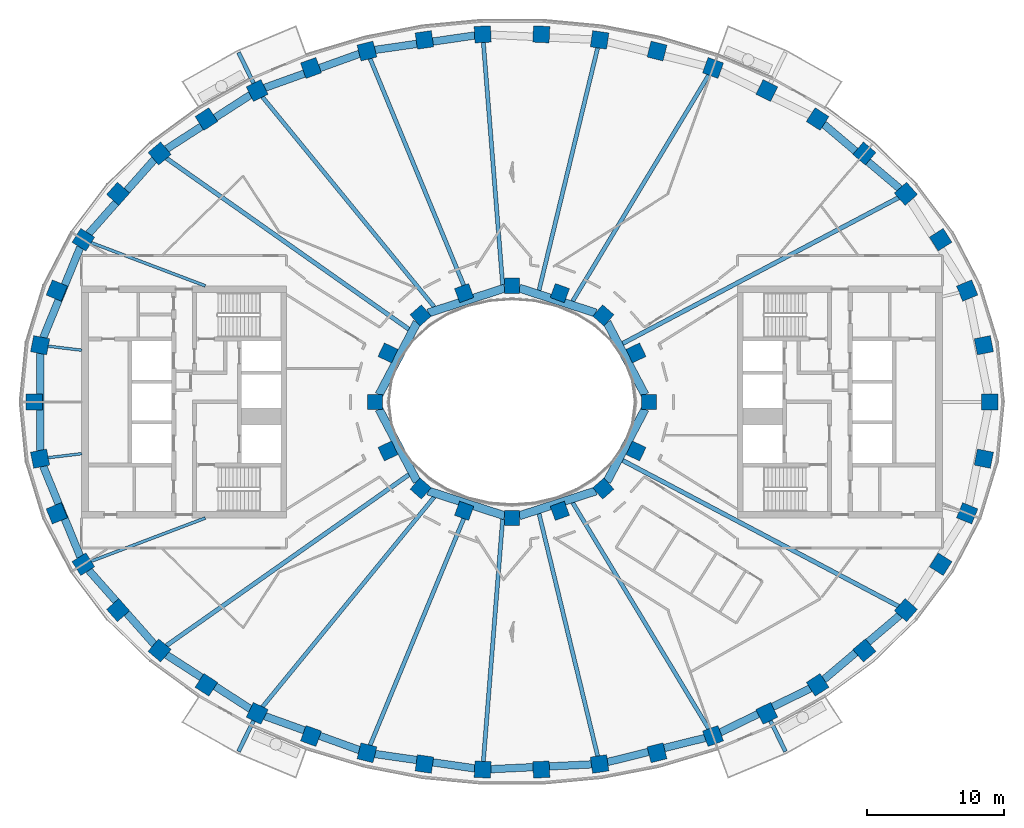
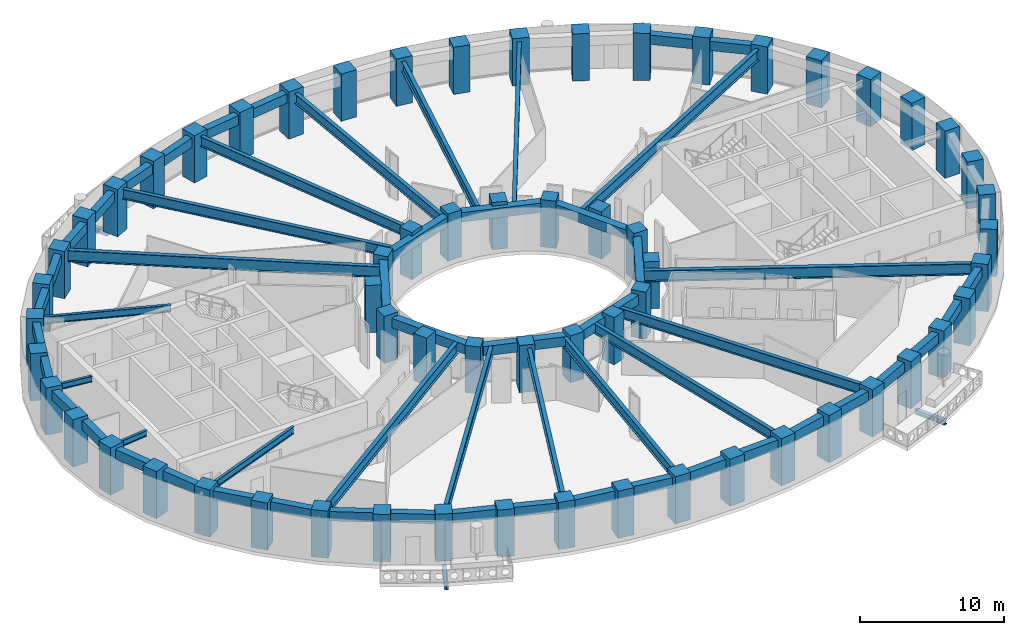
# One storey, part 1 of 15: 62 columns, 45 beams.
"""IFC4 building model written with IfcOpenShell, lengths in metres."""

import ifcopenshell
import ifcopenshell.guid

model = None  # the IFC model being written
_history = None  # IfcOwnerHistory: only IFC2X3 demands one
_inside = {}  # id of a spatial element -> (the spatial element, [elements in it])
_under = {}  # id of a project, library or spatial element -> (it, [spatial elements below it])
_declared = {}  # id of a project -> (the project, [libraries it declares])
_typed = {}  # id of a type object -> (the type object, [elements of that type])
_made_of = {}  # id of a material, layer set ... -> (it, [elements and type objects made of it])


def new_model(schema):
    """Start an empty IFC model of exactly this schema.

    Asked for "IFC4X3", IfcOpenShell would pick the latest addendum, in which some entities
    have other attributes; the version numbers below select the first issue.
    IFC2X3 requires an IfcOwnerHistory on every rooted entity: one is made here for all.
    """
    global model, _history
    if schema == "IFC4X3":
        model = ifcopenshell.file(schema_version=(4, 3, 0, 0))
    else:
        model = ifcopenshell.file(schema=schema)
    _inside.clear()
    _under.clear()
    _declared.clear()
    _typed.clear()
    _made_of.clear()
    _history = None
    if model.schema == "IFC2X3":
        org = make("IfcOrganization", Name="unknown")
        user = make(
            "IfcPersonAndOrganization",
            ThePerson=make("IfcPerson", FamilyName="unknown"),
            TheOrganization=org,
        )
        app = make(
            "IfcApplication",
            ApplicationDeveloper=org,
            Version="unknown",
            ApplicationFullName="unknown",
            ApplicationIdentifier="unknown",
        )
        _history = make(
            "IfcOwnerHistory",
            OwningUser=user,
            OwningApplication=app,
            ChangeAction="ADDED",
            CreationDate=0,
        )
    return model


def make(cls, **values):
    """One entity of the class cls with the attributes given. An attribute that is None is left unset."""
    return model.create_entity(
        cls, **{name: value for name, value in values.items() if value is not None}
    )


def rooted(cls, **values):
    """An entity with a GlobalId (a new one), such as an element, a storey or a relation."""
    return make(cls, GlobalId=ifcopenshell.guid.new(), OwnerHistory=_history, **values)


def si_unit(unit_type, name, prefix=None):
    """IfcSIUnit, for example si_unit("LENGTHUNIT", "METRE", prefix="MILLI")."""
    return make("IfcSIUnit", UnitType=unit_type, Prefix=prefix, Name=name)


def assignment(units):
    """IfcUnitAssignment: the units of a project."""
    return None if units is None else make("IfcUnitAssignment", Units=units)


def point(xyz):
    """IfcCartesianPoint."""
    return None if xyz is None else make("IfcCartesianPoint", Coordinates=xyz)


def direction(xyz):
    """IfcDirection."""
    return None if xyz is None else make("IfcDirection", DirectionRatios=xyz)


def frame(location, z_axis=None, x_axis=None):
    """IfcAxis2Placement3D, a coordinate frame: its origin and axes. An axis left out is left unset."""
    return make(
        "IfcAxis2Placement3D",
        Location=point(location),
        Axis=direction(z_axis),
        RefDirection=direction(x_axis),
    )


def frame_2d(location, x_axis=None):
    """IfcAxis2Placement2D, a coordinate frame in the plane: its origin and x axis."""
    return make(
        "IfcAxis2Placement2D", Location=point(location), RefDirection=direction(x_axis)
    )


def origin():
    """The frame at (0, 0, 0) with its axes left unset."""
    return frame((0.0, 0.0, 0.0))


def origin_2d():
    """The frame at (0, 0) in the plane with its x axis left unset."""
    return frame_2d((0.0, 0.0))


def place(relative_to, where):
    """IfcLocalPlacement: puts the frame where relative to a parent placement (None: the world)."""
    return make(
        "IfcLocalPlacement", PlacementRelTo=relative_to, RelativePlacement=where
    )


def context(
    kind, dimensions, precision=None, world=None, true_north=None, identifier=None
):
    """IfcGeometricRepresentationContext, for example the 3D "Model" context."""
    return make(
        "IfcGeometricRepresentationContext",
        ContextIdentifier=identifier,
        ContextType=kind,
        CoordinateSpaceDimension=dimensions,
        Precision=precision,
        WorldCoordinateSystem=world,
        TrueNorth=true_north,
    )


def subcontext(parent, identifier, kind, view, scale=None):
    """IfcGeometricRepresentationSubContext, for example "Body" below "Model"."""
    return make(
        "IfcGeometricRepresentationSubContext",
        ContextIdentifier=identifier,
        ContextType=kind,
        ParentContext=parent,
        TargetScale=scale,
        TargetView=view,
    )


def project(units=None, contexts=None):
    """IfcProject with its units and contexts."""
    return rooted(
        "IfcProject",
        Name="project",
        RepresentationContexts=contexts,
        UnitsInContext=assignment(units),
    )


def spatial(cls, under=None, at=None, **own):
    """A site, building, storey or space (cls), placed at a placement, below another one or the project."""
    s = rooted(cls, ObjectPlacement=at, **own)
    if under is not None:
        _under.setdefault(under.id(), (under, []))[1].append(s)
    return s


def profile(cls, at=None, kind="AREA", **sizes):
    """A parametric profile (cls). Its sizes go by their IFC names, for example OverallWidth=200.0."""
    return make(cls, ProfileType=kind, Position=at, **sizes)


def rectangle(**sizes):
    """IfcRectangleProfileDef."""
    return profile("IfcRectangleProfileDef", **sizes)


def i_section(**sizes):
    """IfcIShapeProfileDef."""
    return profile("IfcIShapeProfileDef", **sizes)


def extrude(swept, where, along, depth):
    """IfcExtrudedAreaSolid: the profile swept, set in the frame where, extruded along a direction by depth."""
    return make(
        "IfcExtrudedAreaSolid",
        SweptArea=swept,
        Position=where,
        ExtrudedDirection=direction(along),
        Depth=depth,
    )


def shape(context_of_items, identifier, shape_type, items):
    """IfcShapeRepresentation: the items that make up one representation, for example the "Body"."""
    return make(
        "IfcShapeRepresentation",
        ContextOfItems=context_of_items,
        RepresentationIdentifier=identifier,
        RepresentationType=shape_type,
        Items=items,
    )


def material(Name=None, Category=None):
    """IfcMaterial."""
    return make("IfcMaterial", Name=Name, Category=Category)


def material_profile(
    of_material, cross_section, Name=None, Category=None, Priority=None
):
    """IfcMaterialProfile: a cross section and its material."""
    return make(
        "IfcMaterialProfile",
        Name=Name,
        Material=of_material,
        Profile=cross_section,
        Priority=Priority,
        Category=Category,
    )


def profile_set(profiles, Name=None, composite=None):
    """IfcMaterialProfileSet."""
    return make(
        "IfcMaterialProfileSet",
        Name=Name,
        MaterialProfiles=profiles,
        CompositeProfile=composite,
    )


def made_of(thing, what):
    """Note that an element or type object is made of a material, layer set ...; save() writes the relation."""
    if what is not None:
        _made_of.setdefault(what.id(), (what, []))[1].append(thing)
    return thing


def type_object(cls, material=None, **own):
    """A type object (cls), such as IfcWallType, which elements share."""
    return made_of(rooted(cls, **own), material)


def element(
    cls,
    number,
    at=None,
    inside=None,
    cuts=None,
    type_object=None,
    material=None,
    context=None,
    identifier="Body",
    shape_type=None,
    held_by="IfcProductDefinitionShape",
    body=None,
    shapes=None,
    **own,
):
    """One element of the class cls, such as IfcWall. Its Tag is "e" and its number.

    at: its placement. inside: the storey or other place that contains it. cuts: it is an
    opening in that element (IfcRelVoidsElement). A single representation is given by context,
    identifier, shape_type and body (its items); several are given by shapes. held_by: the class
    of the entity that holds the representations. save() writes the other relations.
    """
    e = rooted(cls, Tag="e%d" % number, ObjectPlacement=at, **own)
    if body is not None:
        shapes = [shape(context, identifier, shape_type, body)]
    if shapes is not None:
        e.Representation = make(held_by, Representations=shapes)
    if inside is not None:
        _inside.setdefault(inside.id(), (inside, []))[1].append(e)
    if cuts is not None:
        rooted(
            "IfcRelVoidsElement", RelatingBuildingElement=cuts, RelatedOpeningElement=e
        )
    if type_object is not None:
        _typed.setdefault(type_object.id(), (type_object, []))[1].append(e)
    return made_of(e, material)


def aggregate(whole, parts):
    """IfcRelAggregates: a whole, such as a stair, and the parts it consists of."""
    return rooted("IfcRelAggregates", RelatingObject=whole, RelatedObjects=parts)


def save(model, path):
    """Write the relations noted so far, then the file.

    IfcRelAggregates (storeys below a building ...), IfcRelContainedInSpatialStructure (elements
    in a storey), IfcRelDefinesByType, IfcRelAssociatesMaterial and IfcRelDeclares: one each for
    every whole, place, type object, material and project.
    """
    for whole, parts in _under.values():
        aggregate(whole, parts)
    for where, things in _inside.values():
        rooted(
            "IfcRelContainedInSpatialStructure",
            RelatedElements=things,
            RelatingStructure=where,
        )
    for kind, things in _typed.values():
        rooted("IfcRelDefinesByType", RelatedObjects=things, RelatingType=kind)
    for what, things in _made_of.values():
        rooted("IfcRelAssociatesMaterial", RelatedObjects=things, RelatingMaterial=what)
    for by, libraries in _declared.values():
        rooted("IfcRelDeclares", RelatingContext=by, RelatedDefinitions=libraries)
    model.write(path)


model = new_model("IFC4")

# Units and contexts
model_context = context("Model", 3, precision=1e-05, world=origin(), true_north=direction((0.0, 1.0)))
body_context = subcontext(model_context, "Body", "Model", "MODEL_VIEW")
ifc_project = project(units=[si_unit("LENGTHUNIT", "METRE"), si_unit("AREAUNIT", "SQUARE_METRE"), si_unit("VOLUMEUNIT", "CUBIC_METRE"), si_unit("PLANEANGLEUNIT", "RADIAN"), si_unit("MASSUNIT", "GRAM", prefix="KILO")], contexts=[model_context])

# Site, building, storey
site_placement = place(None, origin())
site = spatial("IfcSite", under=ifc_project, at=site_placement, CompositionType="ELEMENT")
building_placement = place(site_placement, origin())
building = spatial("IfcBuilding", under=site, at=building_placement, Name="Noorbagh Ring Tower", CompositionType="ELEMENT")
storey_placement = place(building_placement, frame((0.0, 0.0, 158.0)))
storey = spatial("IfcBuildingStorey", under=building, at=storey_placement, Name="L36", CompositionType="ELEMENT", Elevation=158.0)

# Columns
ifc_material_1 = material(Name="Concrete C60/75", Category="concrete")
ifc_material_profile_1 = material_profile(ifc_material_1, rectangle(XDim=1.199951171875, YDim=1.199951171875, at=origin_2d()), Name="RC1200x1200")
ifc_profile_set_1 = profile_set([ifc_material_profile_1], Name="Concrete C60/75")
column_type_1 = type_object("IfcColumnType", Name="STR-COL-RC1200x1200-C60-75", PredefinedType="COLUMN", material=ifc_profile_set_1)
for number, where, z_axis, x_axis, name in (
    (1, (34.944580078125, 0.0, 0.0), (0.0, 0.0, 1.0), (0.0, 1.0, 0.0), "L36/col/R1-01"),
    (2, (34.52685546875, 4.150634765625, 0.0), (0.0, 0.0, 1.0), (-0.19723040178, 0.9803571638, 0.0), "L36/col/R1-02"),
    (3, (33.30517578125, 8.1494140625, 0.0), (0.0, 0.0, 1.0), (-0.378989499959, 0.925400971969, 0.0), "L36/col/R1-03"),
    (4, (31.364990234375, 11.87109375, 0.0), (0.0, 0.0, 1.0), (-0.535190403059, 0.844731455833, 0.0), "L36/col/R1-04"),
    (5, (28.81884765625, 15.23046875, 0.0), (0.0, 0.0, 1.0), (-0.662635642662, 0.748941923699, 0.0), "L36/col/R1-05"),
    (6, (25.78271484375, 18.180419921875, 0.0), (0.0, 0.0, 1.0), (-0.763035199656, 0.646356932419, 0.0), "L36/col/R1-06"),
    (7, (22.362060546875, 20.699951171875, 0.0), (0.0, 0.0, 1.0), (-0.840247639643, 0.542202825586, 0.0), "L36/col/R1-07"),
    (8, (18.646240234375, 22.785400390625, 0.0), (0.0, 0.0, 1.0), (-0.898399080868, 0.439180021741, 0.0), "L36/col/R1-08"),
    (9, (14.70947265625, 24.44091796875, 0.0), (0.0, 0.0, 1.0), (-0.941024726094, 0.338337797003, 0.0), "L36/col/R1-09"),
    (10, (10.61328125, 25.673583984375, 0.0), (0.0, 0.0, 1.0), (-0.970829360981, 0.239771457553, 0.0), "L36/col/R1-10"),
    (11, (6.4091796875, 26.49072265625, 0.0), (0.0, 0.0, 1.0), (-0.989713114048, 0.143066249975, 0.0), "L36/col/R1-11"),
    (12, (2.14306640625, 26.89794921875, 0.0), (0.0, 0.0, 1.0), (-0.998868731212, 0.047552684538, 0.0), "L36/col/R1-12"),
    (13, (-2.14306640625, 26.89794921875, 0.0), (0.0, 0.0, 1.0), (-0.998868731212, -0.047552684538, 0.0), "L36/col/R1-13"),
    (14, (-6.4091796875, 26.49072265625, 0.0), (0.0, 0.0, 1.0), (-0.989713114048, -0.143066249975, 0.0), "L36/col/R1-14"),
    (15, (-10.61328125, 25.673583984375, 0.0), (0.0, 0.0, 1.0), (-0.970829360981, -0.239771457553, 0.0), "L36/col/R1-15"),
    (16, (-14.70947265625, 24.44091796875, 0.0), (0.0, 0.0, 1.0), (-0.941024726094, -0.338337797003, 0.0), "L36/col/R1-16"),
    (17, (-18.646240234375, 22.785400390625, 0.0), (0.0, 0.0, 1.0), (-0.898399080868, -0.439180021741, 0.0), "L36/col/R1-17"),
    (18, (-22.362060546875, 20.699951171875, 0.0), (0.0, 0.0, 1.0), (-0.840247639643, -0.542202825586, 0.0), "L36/col/R1-18"),
    (19, (-25.78271484375, 18.180419921875, 0.0), (0.0, 0.0, 1.0), (-0.763035199656, -0.646356932419, 0.0), "L36/col/R1-19"),
    (20, (-28.81884765625, 15.23046875, 0.0), (0.0, 0.0, 1.0), (-0.662635642662, -0.748941923699, 0.0), "L36/col/R1-20"),
    (21, (-31.364990234375, 11.87109375, 0.0), (0.0, 0.0, 1.0), (-0.535190403059, -0.844731455833, 0.0), "L36/col/R1-21"),
    (22, (-33.30517578125, 8.1494140625, 0.0), (0.0, 0.0, 1.0), (-0.378989499959, -0.925400971969, 0.0), "L36/col/R1-22"),
    (23, (-34.52685546875, 4.150634765625, 0.0), (0.0, 0.0, 1.0), (-0.19723040178, -0.9803571638, 0.0), "L36/col/R1-23"),
    (24, (-34.944580078125, 0.0, 0.0), (0.0, 0.0, 1.0), (0.0, -1.0, 0.0), "L36/col/R1-24"),
    (25, (-34.52685546875, -4.150634765625, 0.0), (0.0, 0.0, 1.0), (0.19723040178, -0.9803571638, 0.0), "L36/col/R1-25"),
    (26, (-33.30517578125, -8.1494140625, 0.0), (0.0, 0.0, 1.0), (0.378989499959, -0.925400971969, 0.0), "L36/col/R1-26"),
    (27, (-31.364990234375, -11.87109375, 0.0), (0.0, 0.0, 1.0), (0.535190403059, -0.844731455833, 0.0), "L36/col/R1-27"),
    (28, (-28.81884765625, -15.23046875, 0.0), (0.0, 0.0, 1.0), (0.662635642662, -0.748941923699, 0.0), "L36/col/R1-28"),
    (29, (-25.78271484375, -18.180419921875, 0.0), (0.0, 0.0, 1.0), (0.763035199656, -0.646356932419, 0.0), "L36/col/R1-29"),
    (30, (-22.362060546875, -20.699951171875, 0.0), (0.0, 0.0, 1.0), (0.840247639643, -0.542202825586, 0.0), "L36/col/R1-30"),
    (31, (-18.646240234375, -22.785400390625, 0.0), (0.0, 0.0, 1.0), (0.898399080868, -0.439180021741, 0.0), "L36/col/R1-31"),
    (32, (-14.70947265625, -24.44091796875, 0.0), (0.0, 0.0, 1.0), (0.941024726094, -0.338337797003, 0.0), "L36/col/R1-32"),
    (33, (-10.61328125, -25.673583984375, 0.0), (0.0, 0.0, 1.0), (0.970829360981, -0.239771457553, 0.0), "L36/col/R1-33"),
    (34, (-6.4091796875, -26.49072265625, 0.0), (0.0, 0.0, 1.0), (0.989713114048, -0.143066249975, 0.0), "L36/col/R1-34"),
    (35, (-2.14306640625, -26.89794921875, 0.0), (0.0, 0.0, 1.0), (0.998868731212, -0.047552684538, 0.0), "L36/col/R1-35"),
    (36, (2.14306640625, -26.89794921875, 0.0), (0.0, 0.0, 1.0), (0.998868731212, 0.047552684538, 0.0), "L36/col/R1-36"),
    (37, (6.4091796875, -26.49072265625, 0.0), (0.0, 0.0, 1.0), (0.989713114048, 0.143066249975, 0.0), "L36/col/R1-37"),
    (38, (10.61328125, -25.673583984375, 0.0), (0.0, 0.0, 1.0), (0.970829360981, 0.239771457553, 0.0), "L36/col/R1-38"),
    (39, (14.70947265625, -24.44091796875, 0.0), (0.0, 0.0, 1.0), (0.941024726094, 0.338337797003, 0.0), "L36/col/R1-39"),
    (40, (18.646240234375, -22.785400390625, 0.0), (0.0, 0.0, 1.0), (0.898399080868, 0.439180021741, 0.0), "L36/col/R1-40"),
    (41, (22.362060546875, -20.699951171875, 0.0), (0.0, 0.0, 1.0), (0.840247639643, 0.542202825586, 0.0), "L36/col/R1-41"),
    (42, (25.78271484375, -18.180419921875, 0.0), (0.0, 0.0, 1.0), (0.763035199656, 0.646356932419, 0.0), "L36/col/R1-42"),
    (43, (28.81884765625, -15.23046875, 0.0), (0.0, 0.0, 1.0), (0.662635642662, 0.748941923699, 0.0), "L36/col/R1-43"),
    (44, (31.364990234375, -11.87109375, 0.0), (0.0, 0.0, 1.0), (0.535190403059, 0.844731455833, 0.0), "L36/col/R1-44"),
    (45, (33.30517578125, -8.1494140625, 0.0), (0.0, 0.0, 1.0), (0.378989499959, 0.925400971969, 0.0), "L36/col/R1-45"),
    (46, (34.52685546875, -4.150634765625, 0.0), (0.0, 0.0, 1.0), (0.19723040178, 0.9803571638, 0.0), "L36/col/R1-46"),
):
    element("IfcColumn", number, at=place(storey_placement, frame(where, z_axis=z_axis, x_axis=x_axis)), inside=storey, type_object=column_type_1, Name=name, PredefinedType="COLUMN", context=body_context, shape_type="SweptSolid", body=[
        extrude(rectangle(XDim=1.199951171875, YDim=1.199951171875, at=origin_2d()), origin(), (0.0, 0.0, 1.0), 4.0),
    ])
ifc_material_2 = material(Name="Concrete C60/75", Category="concrete")
ifc_material_profile_2 = material_profile(ifc_material_2, rectangle(XDim=1.10009765625, YDim=1.10009765625, at=origin_2d()), Name="RC1100x1100")
ifc_profile_set_2 = profile_set([ifc_material_profile_2], Name="Concrete C60/75")
column_type_2 = type_object("IfcColumnType", Name="STR-ICOL-RC1100x1100-C60-75", PredefinedType="COLUMN", material=ifc_profile_set_2)
for number, where, z_axis, x_axis, name in (
    (47, (10.00830078125, 0.0, 0.0), (0.0, 0.0, 1.0), (0.0, 1.0, 0.0), "L36/col/IR2-W01"),
    (48, (9.07568359375, 3.58837890625, 0.0), (0.0, 0.0, 1.0), (-0.428666979171, 0.903462573087, 0.0), "L36/col/IR2-W03"),
    (49, (6.68212890625, 6.333740234375, 0.0), (0.0, 0.0, 1.0), (-0.75102249095, 0.660276622399, 0.0), "L36/col/IR2-W05"),
    (50, (3.5009765625, 7.967041015625, 0.0), (0.0, 0.0, 1.0), (-0.939019578916, 0.343863679984, 0.0), "L36/col/IR2-W07"),
    (51, (0.0, 8.5029296875, 0.0), (0.0, 0.0, 1.0), (-1.0, 0.0, 0.0), "L36/col/IR2-W09"),
    (52, (-3.5009765625, 7.967041015625, 0.0), (0.0, 0.0, 1.0), (-0.939019578916, -0.343863679984, 0.0), "L36/col/IR2-W11"),
    (53, (-6.68212890625, 6.333740234375, 0.0), (0.0, 0.0, 1.0), (-0.75102249095, -0.660276622399, 0.0), "L36/col/IR2-W13"),
    (54, (-9.07568359375, 3.58837890625, 0.0), (0.0, 0.0, 1.0), (-0.428666979171, -0.903462573087, 0.0), "L36/col/IR2-W15"),
    (55, (-10.00830078125, 0.0, 0.0), (0.0, 0.0, 1.0), (0.0, -1.0, 0.0), "L36/col/IR2-W17"),
    (56, (-9.07568359375, -3.58837890625, 0.0), (0.0, 0.0, 1.0), (0.428666979171, -0.903462573087, 0.0), "L36/col/IR2-W19"),
    (57, (-6.68212890625, -6.333740234375, 0.0), (0.0, 0.0, 1.0), (0.75102249095, -0.660276622399, 0.0), "L36/col/IR2-W21"),
    (58, (-3.5009765625, -7.967041015625, 0.0), (0.0, 0.0, 1.0), (0.939019578916, -0.343863679984, 0.0), "L36/col/IR2-W23"),
    (59, (0.0, -8.5029296875, 0.0), (0.0, 0.0, 1.0), (1.0, 0.0, 0.0), "L36/col/IR2-W25"),
    (60, (3.5009765625, -7.967041015625, 0.0), (0.0, 0.0, 1.0), (0.939019578916, 0.343863679984, 0.0), "L36/col/IR2-W27"),
    (61, (6.68212890625, -6.333740234375, 0.0), (0.0, 0.0, 1.0), (0.75102249095, 0.660276622399, 0.0), "L36/col/IR2-W29"),
    (62, (9.07568359375, -3.58837890625, 0.0), (0.0, 0.0, 1.0), (0.428666979171, 0.903462573087, 0.0), "L36/col/IR2-W31"),
):
    element("IfcColumn", number, at=place(storey_placement, frame(where, z_axis=z_axis, x_axis=x_axis)), inside=storey, type_object=column_type_2, Name=name, PredefinedType="COLUMN", context=body_context, shape_type="SweptSolid", body=[
        extrude(rectangle(XDim=1.10009765625, YDim=1.10009765625, at=origin_2d()), origin(), (0.0, 0.0, 1.0), 4.0),
    ])

# Beams
ifc_material_3 = material(Name="Steel S355", Category="steel")
ifc_material_profile_3 = material_profile(ifc_material_3, i_section(OverallWidth=0.300048828125, OverallDepth=0.39990234375, WebThickness=0.013427734375, FlangeThickness=0.02392578125, FilletRadius=0.027099609375, at=origin_2d()), Name="HEB400")
ifc_profile_set_3 = profile_set([ifc_material_profile_3], Name="Steel S355")
beam_type_1 = type_object("IfcBeamType", Name="STR-BALCONY-BRACKET-HEB400", PredefinedType="BEAM", material=ifc_profile_set_3)
for number, where, z_axis, x_axis, name in (
    (63, (-18.901123046875, 23.306396484375, -0.5), (-0.439229206399, 0.898375035409, 0.0), (-0.898375035409, -0.439229206399, 0.0), "Balcony bracket beam BN05"),
    (64, (-18.901123046875, -23.306396484375, -0.5), (-0.439229206399, -0.898375035409, 0.0), (0.898375035409, -0.439229206399, 0.0), "Balcony bracket beam BS02"),
    (65, (18.901123046875, -23.306396484375, -0.5), (0.439229206399, -0.898375035409, 0.0), (0.898375035409, 0.439229206399, 0.0), "Balcony bracket beam BS05"),
):
    element("IfcBeam", number, at=place(storey_placement, frame(where, z_axis=z_axis, x_axis=x_axis)), inside=storey, type_object=beam_type_1, Name=name, PredefinedType="BEAM", context=body_context, shape_type="SweptSolid", body=[
        extrude(i_section(OverallWidth=0.300048828125, OverallDepth=0.39990234375, WebThickness=0.013427734375, FlangeThickness=0.02392578125, FilletRadius=0.027099609375, at=origin_2d()), origin(), (0.0, 0.0, 1.0), 2.525146484375),
    ])
ifc_material_4 = material(Name="Steel S355", Category="steel")
ifc_material_profile_4 = material_profile(ifc_material_4, i_section(OverallWidth=0.199951171875, OverallDepth=0.5, WebThickness=0.01025390625, FlangeThickness=0.01611328125, FilletRadius=0.02099609375, at=origin_2d()), Name="IPE500")
ifc_profile_set_4 = profile_set([ifc_material_profile_4], Name="Steel S355")
beam_type_2 = type_object("IfcBeamType", Name="STR-RAD-IPE500", PredefinedType="BEAM", material=ifc_profile_set_4)
for number, where, z_axis, x_axis, name in (
    (66, (-33.948974609375, 4.081298828125, 3.449951171875), (0.992847073299, -0.119393002485, 0.0), (0.119393002485, 0.992847073299, 0.0), "L36/bm/RD23"),
    (67, (-33.948974609375, -4.081298828125, 3.449951171875), (0.992847073299, 0.119393002485, 0.0), (-0.119393002485, 0.992847073299, 0.0), "L36/bm/RD25"),
):
    element("IfcBeam", number, at=place(storey_placement, frame(where, z_axis=z_axis, x_axis=x_axis)), inside=storey, type_object=beam_type_2, Name=name, PredefinedType="BEAM", context=body_context, shape_type="SweptSolid", body=[
        extrude(i_section(OverallWidth=0.199951171875, OverallDepth=0.5, WebThickness=0.01025390625, FlangeThickness=0.01611328125, FilletRadius=0.02099609375, at=origin_2d()), origin(), (0.0, 0.0, 1.0), 2.486572265625),
    ])
ifc_material_5 = material(Name="Steel S355", Category="steel")
ifc_material_profile_5 = material_profile(ifc_material_5, i_section(OverallWidth=0.219970703125, OverallDepth=0.60009765625, WebThickness=0.011962890625, FlangeThickness=0.01904296875, FilletRadius=0.02392578125, at=origin_2d()), Name="IPE600")
ifc_profile_set_5 = profile_set([ifc_material_profile_5], Name="Steel S355")
beam_type_3 = type_object("IfcBeamType", Name="STR-RAD-IPE600", PredefinedType="BEAM", material=ifc_profile_set_5)
for number, where, z_axis, x_axis, name in (
    (68, (-30.810791015625, 11.6611328125, 3.39990234375), (0.935257705558, -0.35396754681, 0.0), (0.35396754681, 0.935257705558, 0.0), "L36/bm/RD21"),
    (69, (-30.810791015625, -11.6611328125, 3.39990234375), (0.935257705558, 0.35396754681, 0.0), (-0.35396754681, 0.935257705558, 0.0), "L36/bm/RD27"),
):
    element("IfcBeam", number, at=place(storey_placement, frame(where, z_axis=z_axis, x_axis=x_axis)), inside=storey, type_object=beam_type_3, Name=name, PredefinedType="BEAM", context=body_context, shape_type="SweptSolid", body=[
        extrude(i_section(OverallWidth=0.219970703125, OverallDepth=0.60009765625, WebThickness=0.011962890625, FlangeThickness=0.01904296875, FilletRadius=0.02392578125, at=origin_2d()), origin(), (0.0, 0.0, 1.0), 8.95068359375),
    ])
ifc_material_6 = material(Name="Steel S355", Category="steel")
ifc_material_profile_6 = material_profile(ifc_material_6, i_section(OverallWidth=0.300048828125, OverallDepth=0.85009765625, WebThickness=0.013916015625, FlangeThickness=0.028076171875, at=origin_2d()), Name="PG850x300x14x28")
ifc_profile_set_6 = profile_set([ifc_material_profile_6], Name="Steel S355")
beam_type_4 = type_object("IfcBeamType", Name="STR-RAD-PG850x300x14x28", PredefinedType="BEAM", material=ifc_profile_set_6)
beam_1_placement = place(storey_placement, frame((14.404296875, 23.933837890625, 3.27490234375), z_axis=(-0.515653442321, -0.856797249892, 0.0), x_axis=(0.856797249892, -0.515653442321, 0.0)))
element("IfcBeam", 70, at=beam_1_placement, inside=storey, type_object=beam_type_4, Name="L36/bm/RD09", PredefinedType="BEAM", context=body_context, shape_type="SweptSolid", body=[
    extrude(i_section(OverallWidth=0.300048828125, OverallDepth=0.85009765625, WebThickness=0.013916015625, FlangeThickness=0.028076171875, at=origin_2d()), origin(), (0.0, 0.0, 1.0), 19.343994140625),
])
beam_2_placement = place(storey_placement, frame((6.272216796875, 25.924560546875, 3.27490234375), z_axis=(-0.235159659646, -0.971956755455, 0.0), x_axis=(0.971956755455, -0.235159659646, 0.0)))
element("IfcBeam", 71, at=beam_2_placement, inside=storey, type_object=beam_type_4, Name="L36/bm/RD11", PredefinedType="BEAM", context=body_context, shape_type="SweptSolid", body=[
    extrude(i_section(OverallWidth=0.300048828125, OverallDepth=0.85009765625, WebThickness=0.013916015625, FlangeThickness=0.028076171875, at=origin_2d()), origin(), (0.0, 0.0, 1.0), 18.280517578125),
])
beam_3_placement = place(storey_placement, frame((-2.09716796875, 26.319580078125, 3.27490234375), z_axis=(0.079428488964, -0.996840566561, 0.0), x_axis=(0.996840566561, 0.079428488964, 0.0)))
element("IfcBeam", 72, at=beam_3_placement, inside=storey, type_object=beam_type_4, Name="L36/bm/RD13", PredefinedType="BEAM", context=body_context, shape_type="SweptSolid", body=[
    extrude(i_section(OverallWidth=0.300048828125, OverallDepth=0.85009765625, WebThickness=0.013916015625, FlangeThickness=0.028076171875, at=origin_2d()), origin(), (0.0, 0.0, 1.0), 17.7998046875),
])
beam_4_placement = place(storey_placement, frame((-10.388916015625, 25.13134765625, 3.27490234375), z_axis=(0.382025650428, -0.924151720452, 0.0), x_axis=(0.924151720452, 0.382025650428, 0.0)))
element("IfcBeam", 73, at=beam_4_placement, inside=storey, type_object=beam_type_4, Name="L36/bm/RD15", PredefinedType="BEAM", context=body_context, shape_type="SweptSolid", body=[
    extrude(i_section(OverallWidth=0.300048828125, OverallDepth=0.85009765625, WebThickness=0.013916015625, FlangeThickness=0.028076171875, at=origin_2d()), origin(), (0.0, 0.0, 1.0), 18.80078125),
])
for number, where, z_axis, x_axis, name in (
    (74, (-18.2685546875, 22.32373046875, 3.27490234375), (0.633310075039, -0.773898151474, 0.0), (0.773898151474, 0.633310075039, 0.0), "L36/bm/RD17"),
    (75, (-18.2685546875, -22.32373046875, 3.27490234375), (0.633310075039, 0.773898151474, 0.0), (-0.773898151474, 0.633310075039, 0.0), "L36/bm/RD31"),
):
    element("IfcBeam", number, at=place(storey_placement, frame(where, z_axis=z_axis, x_axis=x_axis)), inside=storey, type_object=beam_type_4, Name=name, PredefinedType="BEAM", context=body_context, shape_type="SweptSolid", body=[
        extrude(i_section(OverallWidth=0.300048828125, OverallDepth=0.85009765625, WebThickness=0.013916015625, FlangeThickness=0.028076171875, at=origin_2d()), origin(), (0.0, 0.0, 1.0), 19.86279296875),
    ])
beam_5_placement = place(storey_placement, frame((-10.388916015625, -25.13134765625, 3.27490234375), z_axis=(0.382025650428, 0.924151720452, 0.0), x_axis=(-0.924151720452, 0.382025650428, 0.0)))
element("IfcBeam", 76, at=beam_5_placement, inside=storey, type_object=beam_type_4, Name="L36/bm/RD33", PredefinedType="BEAM", context=body_context, shape_type="SweptSolid", body=[
    extrude(i_section(OverallWidth=0.300048828125, OverallDepth=0.85009765625, WebThickness=0.013916015625, FlangeThickness=0.028076171875, at=origin_2d()), origin(), (0.0, 0.0, 1.0), 18.80078125),
])
beam_6_placement = place(storey_placement, frame((-2.09716796875, -26.319580078125, 3.27490234375), z_axis=(0.079428488964, 0.996840566561, 0.0), x_axis=(-0.996840566561, 0.079428488964, 0.0)))
element("IfcBeam", 77, at=beam_6_placement, inside=storey, type_object=beam_type_4, Name="L36/bm/RD35", PredefinedType="BEAM", context=body_context, shape_type="SweptSolid", body=[
    extrude(i_section(OverallWidth=0.300048828125, OverallDepth=0.85009765625, WebThickness=0.013916015625, FlangeThickness=0.028076171875, at=origin_2d()), origin(), (0.0, 0.0, 1.0), 17.7998046875),
])
beam_7_placement = place(storey_placement, frame((6.272216796875, -25.924560546875, 3.27490234375), z_axis=(-0.235159659646, 0.971956755455, 0.0), x_axis=(-0.971956755455, -0.235159659646, 0.0)))
element("IfcBeam", 78, at=beam_7_placement, inside=storey, type_object=beam_type_4, Name="L36/bm/RD37", PredefinedType="BEAM", context=body_context, shape_type="SweptSolid", body=[
    extrude(i_section(OverallWidth=0.300048828125, OverallDepth=0.85009765625, WebThickness=0.013916015625, FlangeThickness=0.028076171875, at=origin_2d()), origin(), (0.0, 0.0, 1.0), 18.280517578125),
])
beam_8_placement = place(storey_placement, frame((14.404296875, -23.933837890625, 3.27490234375), z_axis=(-0.515653442321, 0.856797249892, 0.0), x_axis=(-0.856797249892, -0.515653442321, 0.0)))
element("IfcBeam", 79, at=beam_8_placement, inside=storey, type_object=beam_type_4, Name="L36/bm/RD39", PredefinedType="BEAM", context=body_context, shape_type="SweptSolid", body=[
    extrude(i_section(OverallWidth=0.300048828125, OverallDepth=0.85009765625, WebThickness=0.013916015625, FlangeThickness=0.028076171875, at=origin_2d()), origin(), (0.0, 0.0, 1.0), 19.343994140625),
])
ifc_material_7 = material(Name="Steel S355", Category="steel")
ifc_material_profile_7 = material_profile(ifc_material_7, i_section(OverallWidth=0.320068359375, OverallDepth=0.949951171875, WebThickness=0.01611328125, FlangeThickness=0.030029296875, at=origin_2d()), Name="PG950x320x16x30")
ifc_profile_set_7 = profile_set([ifc_material_profile_7], Name="Steel S355")
beam_type_5 = type_object("IfcBeamType", Name="STR-RAD-PG950x320x16x30", PredefinedType="BEAM", material=ifc_profile_set_7)
beam_9_placement = place(storey_placement, frame((28.29052734375, 14.951416015625, 3.22509765625), z_axis=(-0.88411920944, -0.467261408099, 0.0), x_axis=(0.467261408099, -0.88411920944, 0.0)))
element("IfcBeam", 80, at=beam_9_placement, inside=storey, type_object=beam_type_5, Name="L36/bm/RD05", PredefinedType="BEAM", context=body_context, shape_type="SweptSolid", body=[
    extrude(i_section(OverallWidth=0.320068359375, OverallDepth=0.949951171875, WebThickness=0.01611328125, FlangeThickness=0.030029296875, at=origin_2d()), origin(), (0.0, 0.0, 1.0), 22.857421875),
])
for number, where, z_axis, x_axis, name in (
    (81, (-25.29248046875, 17.834716796875, 3.22509765625), (0.817253927646, -0.576277726229, 0.0), (0.576277726229, 0.817253927646, 0.0), "L36/bm/RD19"),
    (82, (-25.29248046875, -17.834716796875, 3.22509765625), (0.817253927646, 0.576277726229, 0.0), (-0.576277726229, 0.817253927646, 0.0), "L36/bm/RD29"),
):
    element("IfcBeam", number, at=place(storey_placement, frame(where, z_axis=z_axis, x_axis=x_axis)), inside=storey, type_object=beam_type_5, Name=name, PredefinedType="BEAM", context=body_context, shape_type="SweptSolid", body=[
        extrude(i_section(OverallWidth=0.320068359375, OverallDepth=0.949951171875, WebThickness=0.01611328125, FlangeThickness=0.030029296875, at=origin_2d()), origin(), (0.0, 0.0, 1.0), 21.728515625),
    ])
beam_10_placement = place(storey_placement, frame((28.29052734375, -14.951416015625, 3.22509765625), z_axis=(-0.88411920944, 0.467261408099, 0.0), x_axis=(-0.467261408099, -0.88411920944, 0.0)))
element("IfcBeam", 83, at=beam_10_placement, inside=storey, type_object=beam_type_5, Name="L36/bm/RD43", PredefinedType="BEAM", context=body_context, shape_type="SweptSolid", body=[
    extrude(i_section(OverallWidth=0.320068359375, OverallDepth=0.949951171875, WebThickness=0.01611328125, FlangeThickness=0.030029296875, at=origin_2d()), origin(), (0.0, 0.0, 1.0), 22.857421875),
])
ifc_material_8 = material(Name="Concrete C40/50", Category="concrete")
ifc_material_profile_8 = material_profile(ifc_material_8, rectangle(XDim=0.60009765625, YDim=0.800048828125, at=origin_2d()), Name="RC600x800")
ifc_profile_set_8 = profile_set([ifc_material_profile_8], Name="Concrete C40/50")
beam_type_6 = type_object("IfcBeamType", Name="STR-RB-RC600x800-C40-50", PredefinedType="BEAM", material=ifc_profile_set_8)
beam_11_placement = place(storey_placement, frame((9.728759765625, 0.5322265625, 3.300048828125), z_axis=(-0.464913857529, 0.885355919999, 0.0), x_axis=(-0.885355919999, -0.464913857529, 0.0)))
element("IfcBeam", 84, at=beam_11_placement, inside=storey, type_object=beam_type_6, Name="L36/bm/RG01", PredefinedType="BEAM", context=body_context, shape_type="SweptSolid", body=[
    extrude(rectangle(XDim=0.60009765625, YDim=0.800048828125, at=origin_2d()), origin(), (0.0, 0.0, 1.0), 5.98388671875),
])
for number, where, z_axis, x_axis, name in (
    (85, (6.13134765625, 6.512451171875, 3.300048828125), (-0.95113365854, 0.308779474046, 0.0), (-0.308779474046, -0.95113365854, 0.0), "L36/bm/RG03"),
    (86, (-0.531005859375, 8.33056640625, 3.300048828125), (-0.95113365854, -0.308779474046, 0.0), (0.308779474046, -0.95113365854, 0.0), "L36/bm/RG05"),
):
    element("IfcBeam", number, at=place(storey_placement, frame(where, z_axis=z_axis, x_axis=x_axis)), inside=storey, type_object=beam_type_6, Name=name, PredefinedType="BEAM", context=body_context, shape_type="SweptSolid", body=[
        extrude(rectangle(XDim=0.60009765625, YDim=0.800048828125, at=origin_2d()), origin(), (0.0, 0.0, 1.0), 5.88818359375),
    ])
for number, where, z_axis, x_axis, name in (
    (87, (-6.94677734375, 5.830078125, 3.300048828125), (-0.464913857529, -0.885355919999, 0.0), (0.885355919999, -0.464913857529, 0.0), "L36/bm/RG07"),
    (88, (-9.728759765625, -0.5322265625, 3.300048828125), (0.464913857529, -0.885355919999, 0.0), (0.885355919999, 0.464913857529, 0.0), "L36/bm/RG09"),
):
    element("IfcBeam", number, at=place(storey_placement, frame(where, z_axis=z_axis, x_axis=x_axis)), inside=storey, type_object=beam_type_6, Name=name, PredefinedType="BEAM", context=body_context, shape_type="SweptSolid", body=[
        extrude(rectangle(XDim=0.60009765625, YDim=0.800048828125, at=origin_2d()), origin(), (0.0, 0.0, 1.0), 5.98388671875),
    ])
for number, where, z_axis, x_axis, name in (
    (89, (-6.13134765625, -6.512451171875, 3.300048828125), (0.95113365854, -0.308779474046, 0.0), (0.308779474046, 0.95113365854, 0.0), "L36/bm/RG11"),
    (90, (0.531005859375, -8.33056640625, 3.300048828125), (0.95113365854, 0.308779474046, 0.0), (-0.308779474046, 0.95113365854, 0.0), "L36/bm/RG13"),
):
    element("IfcBeam", number, at=place(storey_placement, frame(where, z_axis=z_axis, x_axis=x_axis)), inside=storey, type_object=beam_type_6, Name=name, PredefinedType="BEAM", context=body_context, shape_type="SweptSolid", body=[
        extrude(rectangle(XDim=0.60009765625, YDim=0.800048828125, at=origin_2d()), origin(), (0.0, 0.0, 1.0), 5.88818359375),
    ])
beam_12_placement = place(storey_placement, frame((6.94677734375, -5.830078125, 3.300048828125), z_axis=(0.464913857529, 0.885355919999, 0.0), x_axis=(-0.885355919999, 0.464913857529, 0.0)))
element("IfcBeam", 91, at=beam_12_placement, inside=storey, type_object=beam_type_6, Name="L36/bm/RG15", PredefinedType="BEAM", context=body_context, shape_type="SweptSolid", body=[
    extrude(rectangle(XDim=0.60009765625, YDim=0.800048828125, at=origin_2d()), origin(), (0.0, 0.0, 1.0), 5.98388671875),
])
ifc_material_9 = material(Name="Concrete C40/50", Category="concrete")
ifc_material_profile_9 = material_profile(ifc_material_9, rectangle(XDim=0.550048828125, YDim=0.800048828125, at=origin_2d()), Name="RC550x800")
ifc_profile_set_9 = profile_set([ifc_material_profile_9], Name="Concrete C40/50")
beam_type_7 = type_object("IfcBeamType", Name="STR-SB-RC550x800-C40-50", PredefinedType="BEAM", material=ifc_profile_set_9)
beam_13_placement = place(storey_placement, frame((28.37158203125, 15.609375, 3.300048828125), z_axis=(-0.76303051661, 0.646362460792, 0.0), x_axis=(-0.646362460792, -0.76303051661, 0.0)))
element("IfcBeam", 92, at=beam_13_placement, inside=storey, type_object=beam_type_7, Name="L36/bm/SP05", PredefinedType="BEAM", context=body_context, shape_type="SweptSolid", body=[
    extrude(rectangle(XDim=0.550048828125, YDim=0.800048828125, at=origin_2d()), origin(), (0.0, 0.0, 1.0), 7.290771484375),
])
beam_14_placement = place(storey_placement, frame((-2.719970703125, 26.814697265625, 3.300048828125), z_axis=(-0.989712982551, -0.143067159651, 0.0), x_axis=(0.143067159651, -0.989712982551, 0.0)))
element("IfcBeam", 93, at=beam_14_placement, inside=storey, type_object=beam_type_7, Name="L36/bm/SP13", PredefinedType="BEAM", context=body_context, shape_type="SweptSolid", body=[
    extrude(rectangle(XDim=0.550048828125, YDim=0.800048828125, at=origin_2d()), origin(), (0.0, 0.0, 1.0), 7.392333984375),
])
beam_15_placement = place(storey_placement, frame((-11.162109375, 25.476318359375, 3.300048828125), z_axis=(-0.941026272099, -0.338333497041, 0.0), x_axis=(0.338333497041, -0.941026272099, 0.0)))
element("IfcBeam", 94, at=beam_15_placement, inside=storey, type_object=beam_type_7, Name="L36/bm/SP15", PredefinedType="BEAM", context=body_context, shape_type="SweptSolid", body=[
    extrude(rectangle(XDim=0.550048828125, YDim=0.800048828125, at=origin_2d()), origin(), (0.0, 0.0, 1.0), 7.36962890625),
])
beam_16_placement = place(storey_placement, frame((-19.13720703125, 22.468505859375, 3.300048828125), z_axis=(-0.840250107942, -0.542199000463, 0.0), x_axis=(0.542199000463, -0.840250107942, 0.0)))
element("IfcBeam", 95, at=beam_16_placement, inside=storey, type_object=beam_type_7, Name="L36/bm/SP17", PredefinedType="BEAM", context=body_context, shape_type="SweptSolid", body=[
    extrude(rectangle(XDim=0.550048828125, YDim=0.800048828125, at=origin_2d()), origin(), (0.0, 0.0, 1.0), 7.32373046875),
])
beam_17_placement = place(storey_placement, frame((-26.171142578125, 17.7412109375, 3.300048828125), z_axis=(-0.662637815304, -0.748940001422, 0.0), x_axis=(0.748940001422, -0.662637815304, 0.0)))
element("IfcBeam", 96, at=beam_17_placement, inside=storey, type_object=beam_type_7, Name="L36/bm/SP19", PredefinedType="BEAM", context=body_context, shape_type="SweptSolid", body=[
    extrude(rectangle(XDim=0.550048828125, YDim=0.800048828125, at=origin_2d()), origin(), (0.0, 0.0, 1.0), 7.25048828125),
])
beam_18_placement = place(storey_placement, frame((-31.58837890625, 11.325439453125, 3.300048828125), z_axis=(-0.378983224539, -0.925403541985, 0.0), x_axis=(0.925403541985, -0.378983224539, 0.0)))
element("IfcBeam", 97, at=beam_18_placement, inside=storey, type_object=beam_type_7, Name="L36/bm/SP21", PredefinedType="BEAM", context=body_context, shape_type="SweptSolid", body=[
    extrude(rectangle(XDim=0.550048828125, YDim=0.800048828125, at=origin_2d()), origin(), (0.0, 0.0, 1.0), 7.162109375),
])
beam_19_placement = place(storey_placement, frame((-34.52685546875, 3.55859375, 3.300048828125), z_axis=(0.0, -1.0, 0.0), x_axis=(1.0, 0.0, 0.0)))
element("IfcBeam", 98, at=beam_19_placement, inside=storey, type_object=beam_type_7, Name="L36/bm/SP23", PredefinedType="BEAM", context=body_context, shape_type="SweptSolid", body=[
    extrude(rectangle(XDim=0.550048828125, YDim=0.800048828125, at=origin_2d()), origin(), (0.0, 0.0, 1.0), 7.1171875),
])
beam_20_placement = place(storey_placement, frame((-34.302734375, -4.697509765625, 3.300048828125), z_axis=(0.378983224539, -0.925403541985, 0.0), x_axis=(0.925403541985, 0.378983224539, 0.0)))
element("IfcBeam", 99, at=beam_20_placement, inside=storey, type_object=beam_type_7, Name="L36/bm/SP25", PredefinedType="BEAM", context=body_context, shape_type="SweptSolid", body=[
    extrude(rectangle(XDim=0.550048828125, YDim=0.800048828125, at=origin_2d()), origin(), (0.0, 0.0, 1.0), 7.162109375),
])
beam_21_placement = place(storey_placement, frame((-30.9755859375, -12.31103515625, 3.300048828125), z_axis=(0.662637815304, -0.748940001422, 0.0), x_axis=(0.748940001422, 0.662637815304, 0.0)))
element("IfcBeam", 100, at=beam_21_placement, inside=storey, type_object=beam_type_7, Name="L36/bm/SP27", PredefinedType="BEAM", context=body_context, shape_type="SweptSolid", body=[
    extrude(rectangle(XDim=0.550048828125, YDim=0.800048828125, at=origin_2d()), origin(), (0.0, 0.0, 1.0), 7.25048828125),
])
beam_22_placement = place(storey_placement, frame((-25.291015625, -18.49755859375, 3.300048828125), z_axis=(0.840250107942, -0.542199000463, 0.0), x_axis=(0.542199000463, 0.840250107942, 0.0)))
element("IfcBeam", 101, at=beam_22_placement, inside=storey, type_object=beam_type_7, Name="L36/bm/SP29", PredefinedType="BEAM", context=body_context, shape_type="SweptSolid", body=[
    extrude(rectangle(XDim=0.550048828125, YDim=0.800048828125, at=origin_2d()), origin(), (0.0, 0.0, 1.0), 7.32373046875),
])
beam_23_placement = place(storey_placement, frame((-18.09716796875, -22.98291015625, 3.300048828125), z_axis=(0.941026272099, -0.338333497041, 0.0), x_axis=(0.338333497041, 0.941026272099, 0.0)))
element("IfcBeam", 102, at=beam_23_placement, inside=storey, type_object=beam_type_7, Name="L36/bm/SP31", PredefinedType="BEAM", context=body_context, shape_type="SweptSolid", body=[
    extrude(rectangle(XDim=0.550048828125, YDim=0.800048828125, at=origin_2d()), origin(), (0.0, 0.0, 1.0), 7.36962890625),
])
beam_24_placement = place(storey_placement, frame((-10.036376953125, -25.757080078125, 3.300048828125), z_axis=(0.989712982551, -0.143067159651, 0.0), x_axis=(0.143067159651, 0.989712982551, 0.0)))
element("IfcBeam", 103, at=beam_24_placement, inside=storey, type_object=beam_type_7, Name="L36/bm/SP33", PredefinedType="BEAM", context=body_context, shape_type="SweptSolid", body=[
    extrude(rectangle(XDim=0.550048828125, YDim=0.800048828125, at=origin_2d()), origin(), (0.0, 0.0, 1.0), 7.392333984375),
])
beam_25_placement = place(storey_placement, frame((-1.56103515625, -26.870361328125, 3.300048828125), z_axis=(0.9988682124, 0.047563581193, 0.0), x_axis=(-0.047563581193, 0.9988682124, 0.0)))
element("IfcBeam", 104, at=beam_25_placement, inside=storey, type_object=beam_type_7, Name="L36/bm/SP35", PredefinedType="BEAM", context=body_context, shape_type="SweptSolid", body=[
    extrude(rectangle(XDim=0.550048828125, YDim=0.800048828125, at=origin_2d()), origin(), (0.0, 0.0, 1.0), 7.396484375),
])
beam_26_placement = place(storey_placement, frame((6.97509765625, -26.35107421875, 3.300048828125), z_axis=(0.970832897369, 0.239757138341, 0.0), x_axis=(-0.239757138341, 0.970832897369, 0.0)))
element("IfcBeam", 105, at=beam_26_placement, inside=storey, type_object=beam_type_7, Name="L36/bm/SP37", PredefinedType="BEAM", context=body_context, shape_type="SweptSolid", body=[
    extrude(rectangle(XDim=0.550048828125, YDim=0.800048828125, at=origin_2d()), origin(), (0.0, 0.0, 1.0), 7.383544921875),
])
beam_27_placement = place(storey_placement, frame((15.23388671875, -24.1845703125, 3.300048828125), z_axis=(0.898397175695, 0.439183918994, 0.0), x_axis=(-0.439183918994, 0.898397175695, 0.0)))
element("IfcBeam", 106, at=beam_27_placement, inside=storey, type_object=beam_type_7, Name="L36/bm/SP39", PredefinedType="BEAM", context=body_context, shape_type="SweptSolid", body=[
    extrude(rectangle(XDim=0.550048828125, YDim=0.800048828125, at=origin_2d()), origin(), (0.0, 0.0, 1.0), 7.35009765625),
])
beam_28_placement = place(storey_placement, frame((22.80859375, -20.32177734375, 3.300048828125), z_axis=(0.76303051661, 0.646362460792, 0.0), x_axis=(-0.646362460792, 0.76303051661, 0.0)))
element("IfcBeam", 107, at=beam_28_placement, inside=storey, type_object=beam_type_7, Name="L36/bm/SP41", PredefinedType="BEAM", context=body_context, shape_type="SweptSolid", body=[
    extrude(rectangle(XDim=0.550048828125, YDim=0.800048828125, at=origin_2d()), origin(), (0.0, 0.0, 1.0), 7.290771484375),
])

save(model, "model.ifc")
